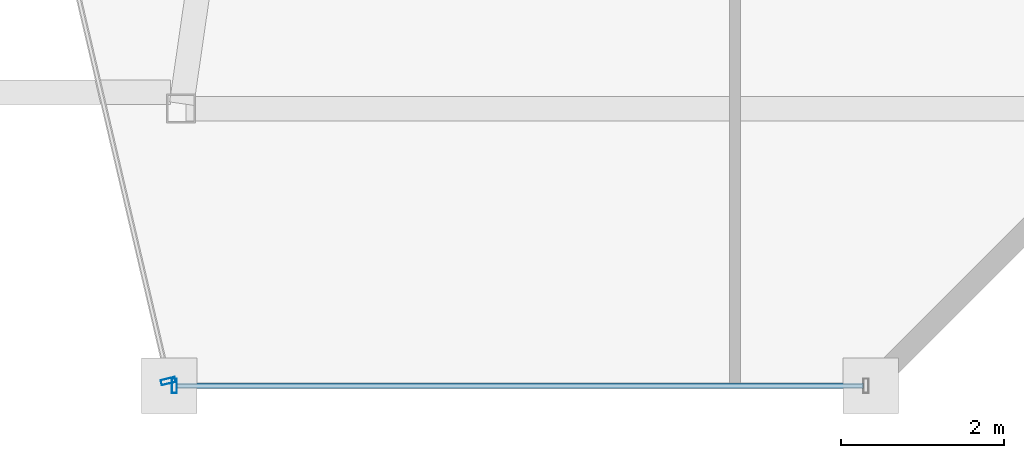
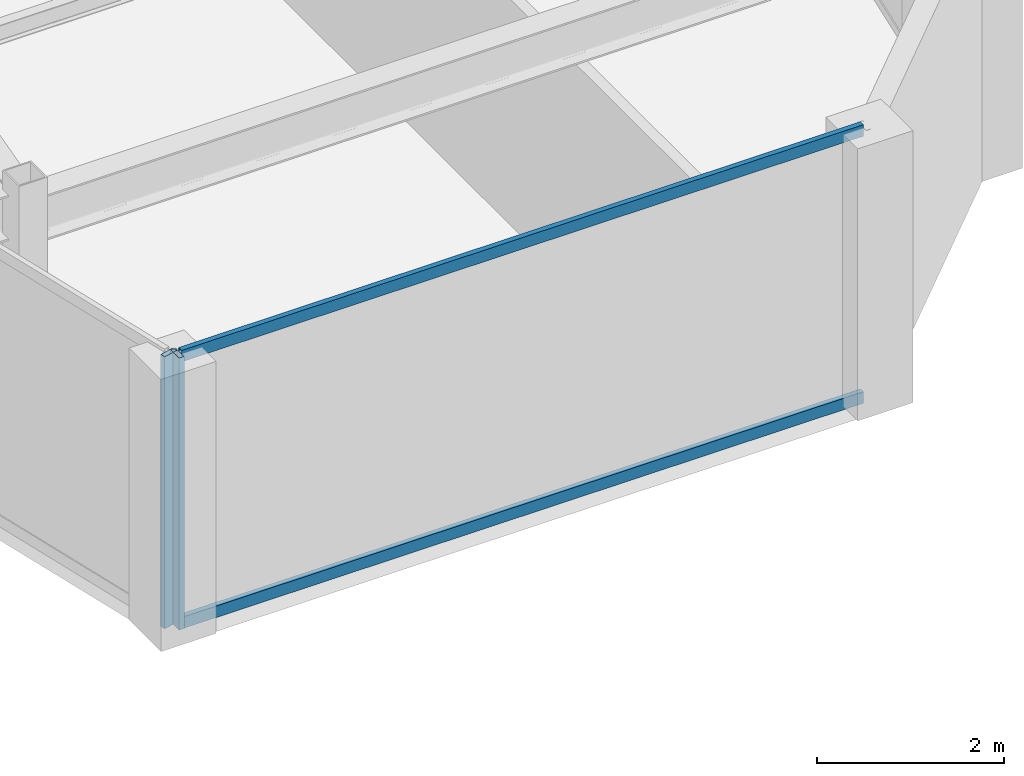
# One storey, part 12 of 32: 4 members, 2 elements without a shape of their own.
"""IFC4 building model written with IfcOpenShell, lengths in metres."""

from ifc_helpers import new_model, si_unit, direction, frame, origin, origin_2d, place, context, subcontext, project, spatial, hollow_rectangle, extrude, material, material_profile, profile_set, type_object, element, aggregate, save


model = new_model("IFC4")

# Units and contexts
model_context = context("Model", 3, precision=1e-05, world=origin(), true_north=direction((0.0, 1.0)))
body_context = subcontext(model_context, "Body", "Model", "MODEL_VIEW")
ifc_project = project(units=[si_unit("LENGTHUNIT", "METRE"), si_unit("AREAUNIT", "SQUARE_METRE"), si_unit("VOLUMEUNIT", "CUBIC_METRE"), si_unit("PLANEANGLEUNIT", "RADIAN"), si_unit("MASSUNIT", "GRAM", prefix="KILO")], contexts=[model_context])

# Site, building, storey
site_placement = place(None, origin())
site = spatial("IfcSite", under=ifc_project, at=site_placement, CompositionType="ELEMENT")
building_placement = place(site_placement, origin())
building = spatial("IfcBuilding", under=site, at=building_placement, Name="Saevonmaru Cultural Tower", CompositionType="ELEMENT")
storey_placement = place(building_placement, frame((0.0, 0.0, 264.800048828125)))
storey = spatial("IfcBuildingStorey", under=building, at=storey_placement, Name="L62", CompositionType="ELEMENT", Elevation=264.800048828125)

# Curtain wall, member
ifc_material = material(Name="Satin Bronze Anodised Aluminium", Category="aluminium")
curtain_wall_type = type_object("IfcCurtainWallType", Name="CW-TYP-B", PredefinedType="NOTDEFINED", material=ifc_material)
curtain_wall_1_placement = place(storey_placement, origin())
curtain_wall_1 = element("IfcCurtainWall", 1, at=curtain_wall_1_placement, inside=storey, type_object=curtain_wall_type, Name="L62 Unitised Curtain Wall E5", PredefinedType="NOTDEFINED")
ifc_material_profile_1 = material_profile(ifc_material, hollow_rectangle(XDim=0.06494140625, YDim=0.179931640625, WallThickness=0.00390625, at=origin_2d()), Name="ALU-MULL-180x65x4")
ifc_profile_set_1 = profile_set([ifc_material_profile_1], Name="Satin Bronze Anodised Aluminium")
member_type_1 = type_object("IfcMemberType", Name="ML-CW-180x65", PredefinedType="MULLION", material=ifc_profile_set_1)
member_1_placement = place(storey_placement, frame((39.390625, 22.8583984375, 0.0), z_axis=(0.0, 0.0, 1.0), x_axis=(0.228189509449, -0.973616735568, 0.0)))
member_1 = element("IfcMember", 2, at=member_1_placement, type_object=member_type_1, Name="CW-TW-L62-E5 mullion 2", PredefinedType="MULLION", context=body_context, shape_type="SweptSolid", body=[
    extrude(hollow_rectangle(XDim=0.06494140625, YDim=0.179931640625, WallThickness=0.00390625, at=origin_2d()), origin(), (0.0, 0.0, 1.0), 3.550048828125),
])
aggregate(curtain_wall_1, [member_1])

# Curtain wall, members
curtain_wall_2_placement = place(storey_placement, origin())
curtain_wall_2 = element("IfcCurtainWall", 3, at=curtain_wall_2_placement, inside=storey, type_object=curtain_wall_type, Name="L62 Unitised Curtain Wall E6", PredefinedType="NOTDEFINED")
member_2_placement = place(storey_placement, frame((39.46435546875, 22.800048828125, 0.0), z_axis=(0.0, 0.0, 1.0), x_axis=(1.0, 0.0, 0.0)))
member_2 = element("IfcMember", 4, at=member_2_placement, type_object=member_type_1, Name="CW-TW-L62-E6 mullion 1", PredefinedType="MULLION", context=body_context, shape_type="SweptSolid", body=[
    extrude(hollow_rectangle(XDim=0.06494140625, YDim=0.179931640625, WallThickness=0.00390625, at=origin_2d()), origin(), (0.0, 0.0, 1.0), 3.550048828125),
])
ifc_material_profile_2 = material_profile(ifc_material, hollow_rectangle(XDim=0.06494140625, YDim=0.14990234375, WallThickness=0.00390625, at=origin_2d()), Name="ALU-TRAN-150x65x4")
ifc_profile_set_2 = profile_set([ifc_material_profile_2], Name="Satin Bronze Anodised Aluminium")
member_type_2 = type_object("IfcMemberType", Name="TR-CW-150x65", PredefinedType="USERDEFINED", material=ifc_profile_set_2)
member_3_placement = place(storey_placement, frame((39.496826171875, 22.800048828125, 0.032470703125), z_axis=(1.0, 0.0, 0.0), x_axis=(0.0, 1.0, 0.0)))
member_3 = element("IfcMember", 5, at=member_3_placement, type_object=member_type_2, Name="CW-TW-L62-E6 transom 1.1", ObjectType="TRANSOM", PredefinedType="USERDEFINED", context=body_context, shape_type="SweptSolid", body=[
    extrude(hollow_rectangle(XDim=0.06494140625, YDim=0.14990234375, WallThickness=0.00390625, at=origin_2d()), origin(), (0.0, 0.0, 1.0), 8.4150390625),
])
member_4_placement = place(storey_placement, frame((39.496826171875, 22.800048828125, 3.517333984375), z_axis=(1.0, 0.0, 0.0), x_axis=(0.0, 1.0, 0.0)))
member_4 = element("IfcMember", 6, at=member_4_placement, type_object=member_type_2, Name="CW-TW-L62-E6 transom 1.2", ObjectType="TRANSOM", PredefinedType="USERDEFINED", context=body_context, shape_type="SweptSolid", body=[
    extrude(hollow_rectangle(XDim=0.06494140625, YDim=0.14990234375, WallThickness=0.00390625, at=origin_2d()), origin(), (0.0, 0.0, 1.0), 8.4150390625),
])
aggregate(curtain_wall_2, [member_2, member_3, member_4])

save(model, "model.ifc")
